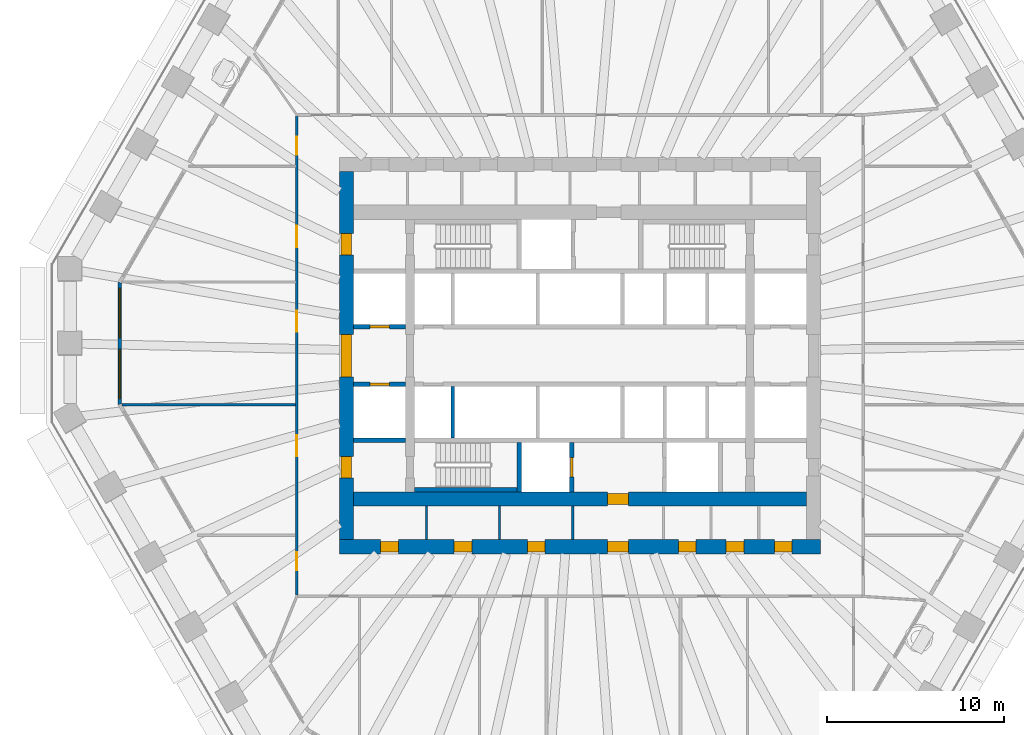
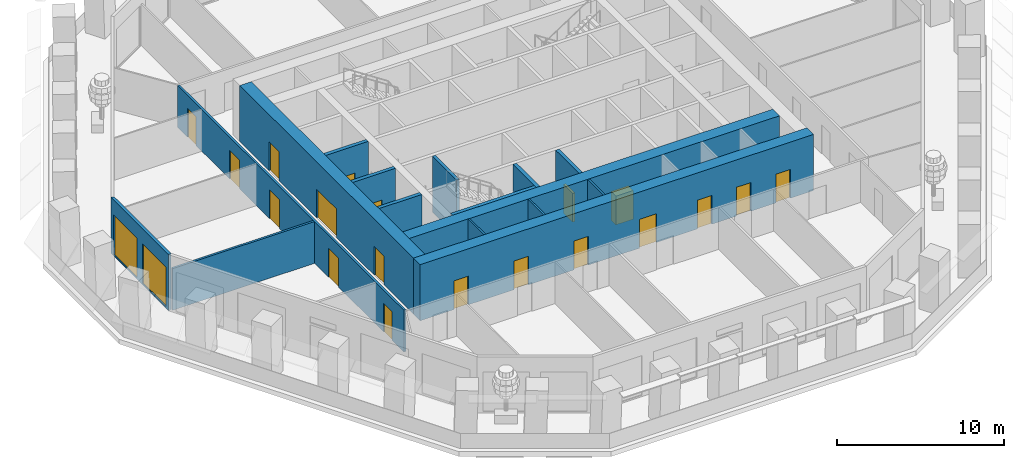
# One storey, part 4 of 13: 19 doors, 16 walls, 2 windows, 21 openings.
"""IFC4 building model written with IfcOpenShell, lengths in metres."""

from ifc_helpers import new_model, si_unit, direction, frame, frame_2d, origin, place, context, subcontext, project, spatial, polyline, rectangle, outline, extrude, material, layer, layer_set, type_object, element, fill, save


model = new_model("IFC4")

# Units and contexts
model_context = context("Model", 3, precision=1e-05, world=origin(), true_north=direction((0.0, 1.0)))
body_context = subcontext(model_context, "Body", "Model", "MODEL_VIEW")
ifc_project = project(units=[si_unit("LENGTHUNIT", "METRE"), si_unit("AREAUNIT", "SQUARE_METRE"), si_unit("VOLUMEUNIT", "CUBIC_METRE"), si_unit("PLANEANGLEUNIT", "RADIAN"), si_unit("MASSUNIT", "GRAM", prefix="KILO")], contexts=[model_context])

# Site, building, storey
site_placement = place(None, origin())
site = spatial("IfcSite", under=ifc_project, at=site_placement, CompositionType="ELEMENT")
building_placement = place(site_placement, origin())
building = spatial("IfcBuilding", under=site, at=building_placement, Name="Frailejon Research Tower", CompositionType="ELEMENT")
storey_placement = place(building_placement, frame((0.0, 0.0, 102.800048828125)))
storey = spatial("IfcBuildingStorey", under=building, at=storey_placement, Name="L22", CompositionType="ELEMENT", Elevation=102.800048828125)

# Walls
ifc_material_1 = material(Name="Plasterboard on steel studs", Category="steel")
ifc_layer_1 = layer(ifc_material_1, 0.125)
ifc_layer_set_1 = layer_set([ifc_layer_1], Name="Core partition 125")
wall_type_1 = type_object("IfcWallType", Name="Core partition 125", PredefinedType="PARTITIONING", material=ifc_layer_set_1)
for number, where, z_axis, x_axis, name in (
    (1, (-8.6708984375, -10.39990234375, 0.0), (0.0, 0.0, 1.0), (0.0, 1.0, 0.0), "Core partition"),
    (2, (-4.541748046875, -10.39990234375, 0.0), (0.0, 0.0, 1.0), (0.0, 1.0, 0.0), "Core partition"),
    (3, (-0.41259765625, -10.39990234375, 0.0), (0.0, 0.0, 1.0), (0.0, 1.0, 0.0), "Core partition"),
):
    element("IfcWall", number, at=place(storey_placement, frame(where, z_axis=z_axis, x_axis=x_axis)), inside=storey, type_object=wall_type_1, Name=name, PredefinedType="PARTITIONING", context=body_context, shape_type="SweptSolid", body=[
        extrude(rectangle(XDim=1.89990234375, YDim=0.125, at=frame_2d((0.949951171875, 0.0))), origin(), (0.0, 0.0, 1.0), 4.099853515625),
    ])

# Wall, openings, doors
ifc_material_2 = material(Name="Concrete C70/85", Category="concrete")
ifc_layer_2 = layer(ifc_material_2, 0.800048828125)
ifc_layer_set_2 = layer_set([ifc_layer_2], Name="Core shear wall 800 C70/85")
wall_type_2 = type_object("IfcWallType", Name="Core shear wall 800 C70/85", PredefinedType="SHEAR", material=ifc_layer_set_2)
wall_1_placement = place(storey_placement, frame((-13.60009765625, -10.800048828125, 0.0), z_axis=(0.0, 0.0, 1.0), x_axis=(1.0, 0.0, 0.0)))
wall_1 = element("IfcWall", 4, at=wall_1_placement, inside=storey, type_object=wall_type_2, Name="Core shear wall", PredefinedType="SHEAR", context=body_context, shape_type="SweptSolid", body=[
    extrude(rectangle(XDim=27.2001953125, YDim=0.800048828125, at=frame_2d((13.60009765625, 0.0))), origin(), (0.0, 0.0, 1.0), 4.099853515625),
])
opening_1_placement = place(wall_1_placement, frame((2.333251953125, 0.0, 0.0)))
opening_1 = element("IfcOpeningElement", 5, at=opening_1_placement, cuts=wall_1, Name="Opening D4", PredefinedType="OPENING", context=body_context, shape_type="SweptSolid", body=[
    extrude(rectangle(XDim=1.0, YDim=2.10009765625, at=frame_2d((0.5, 1.050048828125))), frame((0.0, 0.409912109375, 0.0), z_axis=(0.0, -1.0, 0.0), x_axis=(1.0, 0.0, 0.0)), (0.0, 0.0, 1.0), 0.820068359375),
])
opening_2_placement = place(wall_1_placement, frame((6.493896484375, 0.0, 0.0)))
opening_2 = element("IfcOpeningElement", 6, at=opening_2_placement, cuts=wall_1, Name="Opening D4", PredefinedType="OPENING", context=body_context, shape_type="SweptSolid", body=[
    extrude(rectangle(XDim=1.0, YDim=2.10009765625, at=frame_2d((0.5, 1.050048828125))), frame((0.0, 0.409912109375, 0.0), z_axis=(0.0, -1.0, 0.0), x_axis=(1.0, 0.0, 0.0)), (0.0, 0.0, 1.0), 0.820068359375),
])
opening_3_placement = place(wall_1_placement, frame((10.622802734375, 0.0, 0.0)))
opening_3 = element("IfcOpeningElement", 7, at=opening_3_placement, cuts=wall_1, Name="Opening D4", PredefinedType="OPENING", context=body_context, shape_type="SweptSolid", body=[
    extrude(rectangle(XDim=1.0, YDim=2.10009765625, at=frame_2d((0.5, 1.050048828125))), frame((0.0, 0.409912109375, 0.0), z_axis=(0.0, -1.0, 0.0), x_axis=(1.0, 0.0, 0.0)), (0.0, 0.0, 1.0), 0.820068359375),
])
opening_4_placement = place(wall_1_placement, frame((19.160400390625, 0.0, 0.0)))
opening_4 = element("IfcOpeningElement", 8, at=opening_4_placement, cuts=wall_1, Name="Opening D4", PredefinedType="OPENING", context=body_context, shape_type="SweptSolid", body=[
    extrude(rectangle(XDim=1.0, YDim=2.10009765625, at=frame_2d((0.5, 1.050048828125))), frame((0.0, 0.409912109375, 0.0), z_axis=(0.0, -1.0, 0.0), x_axis=(1.0, 0.0, 0.0)), (0.0, 0.0, 1.0), 0.820068359375),
])
opening_5_placement = place(wall_1_placement, frame((21.856201171875, 0.0, 0.0)))
opening_5 = element("IfcOpeningElement", 9, at=opening_5_placement, cuts=wall_1, Name="Opening D4", PredefinedType="OPENING", context=body_context, shape_type="SweptSolid", body=[
    extrude(rectangle(XDim=1.0, YDim=2.10009765625, at=frame_2d((0.5, 1.050048828125))), frame((0.0, 0.409912109375, 0.0), z_axis=(0.0, -1.0, 0.0), x_axis=(1.0, 0.0, 0.0)), (0.0, 0.0, 1.0), 0.820068359375),
])
opening_6_placement = place(wall_1_placement, frame((24.583251953125, 0.0, 0.0)))
opening_6 = element("IfcOpeningElement", 10, at=opening_6_placement, cuts=wall_1, Name="Opening D4", PredefinedType="OPENING", context=body_context, shape_type="SweptSolid", body=[
    extrude(rectangle(XDim=1.0, YDim=2.10009765625, at=frame_2d((0.5, 1.050048828125))), frame((0.0, 0.409912109375, 0.0), z_axis=(0.0, -1.0, 0.0), x_axis=(1.0, 0.0, 0.0)), (0.0, 0.0, 1.0), 0.820068359375),
])
opening_7_placement = place(wall_1_placement, frame((15.14990234375, 0.0, 0.0)))
opening_7 = element("IfcOpeningElement", 11, at=opening_7_placement, cuts=wall_1, Name="Opening D3", PredefinedType="OPENING", context=body_context, shape_type="SweptSolid", body=[
    extrude(rectangle(XDim=1.199951171875, YDim=2.10009765625, at=frame_2d((0.60009765625, 1.050048828125))), frame((0.0, 0.409912109375, 0.0), z_axis=(0.0, -1.0, 0.0), x_axis=(1.0, 0.0, 0.0)), (0.0, 0.0, 1.0), 0.820068359375),
])
ifc_material_3 = material(Name="Steel", Category="steel")
door_type_1 = type_object("IfcDoorType", Name="Firefighting lobby door", OperationType="SINGLE_SWING_LEFT", PredefinedType="DOOR", material=ifc_material_3)
door_1_placement = place(opening_7_placement, origin())
door_1 = element("IfcDoor", 12, at=door_1_placement, inside=storey, type_object=door_type_1, Name="Passage door", OperationType="SINGLE_SWING_LEFT", OverallHeight=2.10009765625, OverallWidth=1.199951171875, PredefinedType="DOOR", context=body_context, shape_type="SweptSolid", body=[
    extrude(rectangle(XDim=1.199951171875, YDim=2.10009765625, at=frame_2d((0.60009765625, 1.050048828125))), frame((0.0, 0.300048828125, 0.0), z_axis=(0.0, -1.0, 0.0), x_axis=(1.0, 0.0, 0.0)), (0.0, 0.0, 1.0), 0.60009765625),
])
fill(opening_7, door_1)
ifc_material_4 = material(Name="Steel", Category="steel")
door_type_2 = type_object("IfcDoorType", Name="Service door", OperationType="SINGLE_SWING_LEFT", PredefinedType="DOOR", material=ifc_material_4)
door_2_placement = place(opening_1_placement, origin())
door_2 = element("IfcDoor", 13, at=door_2_placement, inside=storey, type_object=door_type_2, Name="Room door", OperationType="SINGLE_SWING_LEFT", OverallHeight=2.10009765625, OverallWidth=1.0, PredefinedType="DOOR", context=body_context, shape_type="SweptSolid", body=[
    extrude(rectangle(XDim=1.0, YDim=2.10009765625, at=frame_2d((0.5, 1.050048828125))), frame((0.0, 0.300048828125, 0.0), z_axis=(0.0, -1.0, 0.0), x_axis=(1.0, 0.0, 0.0)), (0.0, 0.0, 1.0), 0.60009765625),
])
fill(opening_1, door_2)
door_3_placement = place(opening_2_placement, origin())
door_3 = element("IfcDoor", 14, at=door_3_placement, inside=storey, type_object=door_type_2, Name="Room door", OperationType="SINGLE_SWING_RIGHT", OverallHeight=2.10009765625, OverallWidth=1.0, PredefinedType="DOOR", context=body_context, shape_type="SweptSolid", body=[
    extrude(rectangle(XDim=1.0, YDim=2.10009765625, at=frame_2d((0.5, 1.050048828125))), frame((0.0, 0.300048828125, 0.0), z_axis=(0.0, -1.0, 0.0), x_axis=(1.0, 0.0, 0.0)), (0.0, 0.0, 1.0), 0.60009765625),
])
fill(opening_2, door_3)
door_4_placement = place(opening_3_placement, origin())
door_4 = element("IfcDoor", 15, at=door_4_placement, inside=storey, type_object=door_type_2, Name="Room door", OperationType="SINGLE_SWING_LEFT", OverallHeight=2.10009765625, OverallWidth=1.0, PredefinedType="DOOR", context=body_context, shape_type="SweptSolid", body=[
    extrude(rectangle(XDim=1.0, YDim=2.10009765625, at=frame_2d((0.5, 1.050048828125))), frame((0.0, 0.300048828125, 0.0), z_axis=(0.0, -1.0, 0.0), x_axis=(1.0, 0.0, 0.0)), (0.0, 0.0, 1.0), 0.60009765625),
])
fill(opening_3, door_4)
door_5_placement = place(opening_4_placement, origin())
door_5 = element("IfcDoor", 16, at=door_5_placement, inside=storey, type_object=door_type_2, Name="Room door", OperationType="SINGLE_SWING_RIGHT", OverallHeight=2.10009765625, OverallWidth=1.0, PredefinedType="DOOR", context=body_context, shape_type="SweptSolid", body=[
    extrude(rectangle(XDim=1.0, YDim=2.10009765625, at=frame_2d((0.5, 1.050048828125))), frame((0.0, 0.300048828125, 0.0), z_axis=(0.0, -1.0, 0.0), x_axis=(1.0, 0.0, 0.0)), (0.0, 0.0, 1.0), 0.60009765625),
])
fill(opening_4, door_5)
door_6_placement = place(opening_5_placement, origin())
door_6 = element("IfcDoor", 17, at=door_6_placement, inside=storey, type_object=door_type_2, Name="Room door", OperationType="SINGLE_SWING_LEFT", OverallHeight=2.10009765625, OverallWidth=1.0, PredefinedType="DOOR", context=body_context, shape_type="SweptSolid", body=[
    extrude(rectangle(XDim=1.0, YDim=2.10009765625, at=frame_2d((0.5, 1.050048828125))), frame((0.0, 0.300048828125, 0.0), z_axis=(0.0, -1.0, 0.0), x_axis=(1.0, 0.0, 0.0)), (0.0, 0.0, 1.0), 0.60009765625),
])
fill(opening_5, door_6)
door_7_placement = place(opening_6_placement, origin())
door_7 = element("IfcDoor", 18, at=door_7_placement, inside=storey, type_object=door_type_2, Name="Room door", OperationType="SINGLE_SWING_RIGHT", OverallHeight=2.10009765625, OverallWidth=1.0, PredefinedType="DOOR", context=body_context, shape_type="SweptSolid", body=[
    extrude(rectangle(XDim=1.0, YDim=2.10009765625, at=frame_2d((0.5, 1.050048828125))), frame((0.0, 0.300048828125, 0.0), z_axis=(0.0, -1.0, 0.0), x_axis=(1.0, 0.0, 0.0)), (0.0, 0.0, 1.0), 0.60009765625),
])
fill(opening_6, door_7)

wall_2_placement = place(storey_placement, frame((-13.199951171875, -10.39990234375, 0.0), z_axis=(0.0, 0.0, 1.0), x_axis=(0.0, 1.0, 0.0)))
wall_2 = element("IfcWall", 19, at=wall_2_placement, inside=storey, type_object=wall_type_2, Name="Core shear wall", PredefinedType="SHEAR", context=body_context, shape_type="SweptSolid", body=[
    extrude(rectangle(XDim=20.7998046875, YDim=0.800048828125, at=frame_2d((10.39990234375, 0.0))), origin(), (0.0, 0.0, 1.0), 4.099853515625),
])
opening_8_placement = place(wall_2_placement, frame((9.199951171875, 0.0, 0.0)))
opening_8 = element("IfcOpeningElement", 20, at=opening_8_placement, cuts=wall_2, Name="Opening D2", PredefinedType="OPENING", context=body_context, shape_type="SweptSolid", body=[
    extrude(rectangle(XDim=2.39990234375, YDim=2.10009765625, at=frame_2d((1.199951171875, 1.050048828125))), frame((0.0, 0.409912109375, 0.0), z_axis=(0.0, -1.0, 0.0), x_axis=(1.0, 0.0, 0.0)), (0.0, 0.0, 1.0), 0.820068359375),
])
opening_9_placement = place(wall_2_placement, frame((16.10009765625, 0.0, 0.0)))
opening_9 = element("IfcOpeningElement", 21, at=opening_9_placement, cuts=wall_2, Name="Opening D7", PredefinedType="OPENING", context=body_context, shape_type="SweptSolid", body=[
    extrude(rectangle(XDim=1.199951171875, YDim=2.10009765625, at=frame_2d((0.60009765625, 1.050048828125))), frame((0.0, 0.409912109375, 0.0), z_axis=(0.0, -1.0, 0.0), x_axis=(1.0, 0.0, 0.0)), (0.0, 0.0, 1.0), 0.820068359375),
])
opening_10_placement = place(wall_2_placement, frame((3.5, 0.0, 0.0)))
opening_10 = element("IfcOpeningElement", 22, at=opening_10_placement, cuts=wall_2, Name="Opening D7", PredefinedType="OPENING", context=body_context, shape_type="SweptSolid", body=[
    extrude(rectangle(XDim=1.199951171875, YDim=2.10009765625, at=frame_2d((0.60009765625, 1.050048828125))), frame((0.0, 0.409912109375, 0.0), z_axis=(0.0, -1.0, 0.0), x_axis=(1.0, 0.0, 0.0)), (0.0, 0.0, 1.0), 0.820068359375),
])
ifc_material_5 = material(Name="Steel", Category="steel")
door_type_3 = type_object("IfcDoorType", Name="Lobby double door", OperationType="DOUBLE_DOOR_SINGLE_SWING", PredefinedType="DOOR", material=ifc_material_5)
door_8_placement = place(opening_8_placement, origin())
door_8 = element("IfcDoor", 23, at=door_8_placement, inside=storey, type_object=door_type_3, Name="Lobby door", OperationType="DOUBLE_DOOR_SINGLE_SWING", OverallHeight=2.10009765625, OverallWidth=2.39990234375, PredefinedType="DOOR", context=body_context, shape_type="SweptSolid", body=[
    extrude(rectangle(XDim=2.39990234375, YDim=2.10009765625, at=frame_2d((1.199951171875, 1.050048828125))), frame((0.0, 0.300048828125, 0.0), z_axis=(0.0, -1.0, 0.0), x_axis=(1.0, 0.0, 0.0)), (0.0, 0.0, 1.0), 0.60009765625),
])
fill(opening_8, door_8)
ifc_material_6 = material(Name="Steel", Category="steel")
door_type_4 = type_object("IfcDoorType", Name="Stair exit door", OperationType="SINGLE_SWING_LEFT", PredefinedType="DOOR", material=ifc_material_6)
door_9_placement = place(opening_9_placement, origin())
door_9 = element("IfcDoor", 24, at=door_9_placement, inside=storey, type_object=door_type_4, Name="Stair exit door ST1", OperationType="SINGLE_SWING_RIGHT", OverallHeight=2.10009765625, OverallWidth=1.199951171875, PredefinedType="DOOR", context=body_context, shape_type="SweptSolid", body=[
    extrude(rectangle(XDim=1.199951171875, YDim=2.10009765625, at=frame_2d((0.60009765625, 1.050048828125))), frame((0.0, 0.300048828125, 0.0), z_axis=(0.0, -1.0, 0.0), x_axis=(1.0, 0.0, 0.0)), (0.0, 0.0, 1.0), 0.60009765625),
])
fill(opening_9, door_9)
door_10_placement = place(opening_10_placement, origin())
door_10 = element("IfcDoor", 25, at=door_10_placement, inside=storey, type_object=door_type_4, Name="Stair exit door ST2", OperationType="SINGLE_SWING_RIGHT", OverallHeight=2.10009765625, OverallWidth=1.199951171875, PredefinedType="DOOR", context=body_context, shape_type="SweptSolid", body=[
    extrude(rectangle(XDim=1.199951171875, YDim=2.10009765625, at=frame_2d((0.60009765625, 1.050048828125))), frame((0.0, 0.300048828125, 0.0), z_axis=(0.0, -1.0, 0.0), x_axis=(1.0, 0.0, 0.0)), (0.0, 0.0, 1.0), 0.60009765625),
])
fill(opening_10, door_10)

# Wall, opening, door
wall_3_placement = place(storey_placement, frame((-12.800048828125, -8.10009765625, 0.0), z_axis=(0.0, 0.0, 1.0), x_axis=(1.0, 0.0, 0.0)))
wall_3 = element("IfcWall", 26, at=wall_3_placement, inside=storey, type_object=wall_type_2, Name="Core shear wall", PredefinedType="SHEAR", context=body_context, shape_type="SweptSolid", body=[
    extrude(rectangle(XDim=25.60009765625, YDim=0.800048828125, at=frame_2d((12.800048828125, 0.0))), origin(), (0.0, 0.0, 1.0), 4.099853515625),
])
opening_11_placement = place(wall_3_placement, frame((14.35009765625, 0.0, 0.0)))
opening_11 = element("IfcOpeningElement", 27, at=opening_11_placement, cuts=wall_3, Name="Opening D3", PredefinedType="OPENING", context=body_context, shape_type="SweptSolid", body=[
    extrude(rectangle(XDim=1.199951171875, YDim=2.10009765625, at=frame_2d((0.60009765625, 1.050048828125))), frame((0.0, 0.409912109375, 0.0), z_axis=(0.0, -1.0, 0.0), x_axis=(1.0, 0.0, 0.0)), (0.0, 0.0, 1.0), 0.820068359375),
])
door_11_placement = place(opening_11_placement, origin())
door_11 = element("IfcDoor", 28, at=door_11_placement, inside=storey, type_object=door_type_1, Name="Firefighting lobby door", OperationType="SINGLE_SWING_LEFT", OverallHeight=2.10009765625, OverallWidth=1.199951171875, PredefinedType="DOOR", context=body_context, shape_type="SweptSolid", body=[
    extrude(rectangle(XDim=1.199951171875, YDim=2.10009765625, at=frame_2d((0.60009765625, 1.050048828125))), frame((0.0, 0.300048828125, 0.0), z_axis=(0.0, -1.0, 0.0), x_axis=(1.0, 0.0, 0.0)), (0.0, 0.0, 1.0), 0.60009765625),
])
fill(opening_11, door_11)

# Wall, openings, doors
ifc_material_7 = material(Name="Gypsum board and masonry partition", Category="masonry")
ifc_layer_3 = layer(ifc_material_7, 0.14990234375)
ifc_layer_set_3 = layer_set([ifc_layer_3], Name="Corridor wall EI 60, gypsum on steel studs 150")
wall_type_3 = type_object("IfcWallType", Name="Corridor wall EI 60, gypsum on steel studs 150", PredefinedType="PARTITIONING", material=ifc_layer_set_3)
wall_4_placement = place(storey_placement, frame((-16.0, -13.52490234375, 0.0), z_axis=(0.0, 0.0, 1.0), x_axis=(0.0, 1.0, 0.0)))
wall_4 = element("IfcWall", 29, at=wall_4_placement, inside=storey, type_object=wall_type_3, Name="T:IW:L22:003", PredefinedType="PARTITIONING", context=body_context, shape_type="SweptSolid", body=[
    extrude(rectangle(XDim=27.074951171875, YDim=0.14990234375, at=frame_2d((13.53759765625, 0.0))), origin(), (0.0, 0.0, 1.0), 3.050048828125),
])
opening_12_placement = place(wall_4_placement, frame((24.880615234375, 0.0, 0.0)))
opening_12 = element("IfcOpeningElement", 30, at=opening_12_placement, cuts=wall_4, Name="Opening D1583", PredefinedType="OPENING", context=body_context, shape_type="SweptSolid", body=[
    extrude(rectangle(XDim=1.0, YDim=2.10009765625, at=frame_2d((0.5, 1.050048828125))), frame((0.0, 0.0849609375, 0.0), z_axis=(0.0, -1.0, 0.0), x_axis=(1.0, 0.0, 0.0)), (0.0, 0.0, 1.0), 0.169921875),
])
opening_13_placement = place(wall_4_placement, frame((19.65869140625, 0.0, 0.0)))
opening_13 = element("IfcOpeningElement", 31, at=opening_13_placement, cuts=wall_4, Name="Opening D1584", PredefinedType="OPENING", context=body_context, shape_type="SweptSolid", body=[
    extrude(rectangle(XDim=1.199951171875, YDim=2.10009765625, at=frame_2d((0.60009765625, 1.050048828125))), frame((0.0, 0.0849609375, 0.0), z_axis=(0.0, -1.0, 0.0), x_axis=(1.0, 0.0, 0.0)), (0.0, 0.0, 1.0), 0.169921875),
])
opening_14_placement = place(wall_4_placement, frame((14.873291015625, 0.0, 0.0)))
opening_14 = element("IfcOpeningElement", 32, at=opening_14_placement, cuts=wall_4, Name="Opening D1585", PredefinedType="OPENING", context=body_context, shape_type="SweptSolid", body=[
    extrude(rectangle(XDim=1.199951171875, YDim=2.10009765625, at=frame_2d((0.60009765625, 1.050048828125))), frame((0.0, 0.0849609375, 0.0), z_axis=(0.0, -1.0, 0.0), x_axis=(1.0, 0.0, 0.0)), (0.0, 0.0, 1.0), 0.169921875),
])
opening_15_placement = place(wall_4_placement, frame((7.831787109375, 0.0, 0.0)))
opening_15 = element("IfcOpeningElement", 33, at=opening_15_placement, cuts=wall_4, Name="Opening D1586", PredefinedType="OPENING", context=body_context, shape_type="SweptSolid", body=[
    extrude(rectangle(XDim=1.199951171875, YDim=2.10009765625, at=frame_2d((0.60009765625, 1.050048828125))), frame((0.0, 0.0849609375, 0.0), z_axis=(0.0, -1.0, 0.0), x_axis=(1.0, 0.0, 0.0)), (0.0, 0.0, 1.0), 0.169921875),
])
opening_16_placement = place(wall_4_placement, frame((1.409423828125, 0.0, 0.0)))
opening_16 = element("IfcOpeningElement", 34, at=opening_16_placement, cuts=wall_4, Name="Opening D1587", PredefinedType="OPENING", context=body_context, shape_type="SweptSolid", body=[
    extrude(rectangle(XDim=1.0, YDim=2.10009765625, at=frame_2d((0.5, 1.050048828125))), frame((0.0, 0.0849609375, 0.0), z_axis=(0.0, -1.0, 0.0), x_axis=(1.0, 0.0, 0.0)), (0.0, 0.0, 1.0), 0.169921875),
])
ifc_material_8 = material(Name="Timber door leaf", Category="wood")
door_type_5 = type_object("IfcDoorType", Name="Door laboratory, timber, vision panel 1200", OperationType="NOTDEFINED", PredefinedType="DOOR", material=ifc_material_8)
door_12_placement = place(opening_15_placement, origin())
door_12 = element("IfcDoor", 35, at=door_12_placement, inside=storey, type_object=door_type_5, Name="D1586", OperationType="DOUBLE_DOOR_SINGLE_SWING", OverallHeight=2.10009765625, OverallWidth=1.199951171875, PredefinedType="DOOR", context=body_context, shape_type="SweptSolid", body=[
    extrude(rectangle(XDim=1.199951171875, YDim=2.10009765625, at=frame_2d((0.60009765625, 1.050048828125))), frame((0.0, 0.02490234375, 0.0), z_axis=(0.0, -1.0, 0.0), x_axis=(1.0, 0.0, 0.0)), (0.0, 0.0, 1.0), 0.050048828125),
])
fill(opening_15, door_12)
ifc_material_9 = material(Name="Timber door leaf", Category="wood")
door_type_6 = type_object("IfcDoorType", Name="Door single leaf, timber, steel frame 1000", OperationType="NOTDEFINED", PredefinedType="DOOR", material=ifc_material_9)
door_13_placement = place(opening_12_placement, origin())
door_13 = element("IfcDoor", 36, at=door_13_placement, inside=storey, type_object=door_type_6, Name="D1583", OperationType="SINGLE_SWING_RIGHT", OverallHeight=2.10009765625, OverallWidth=1.0, PredefinedType="DOOR", context=body_context, shape_type="SweptSolid", body=[
    extrude(rectangle(XDim=1.0, YDim=2.10009765625, at=frame_2d((0.5, 1.050048828125))), frame((0.0, 0.02490234375, 0.0), z_axis=(0.0, -1.0, 0.0), x_axis=(1.0, 0.0, 0.0)), (0.0, 0.0, 1.0), 0.050048828125),
])
fill(opening_12, door_13)
door_14_placement = place(opening_16_placement, origin())
door_14 = element("IfcDoor", 37, at=door_14_placement, inside=storey, type_object=door_type_6, Name="D1587", OperationType="SINGLE_SWING_LEFT", OverallHeight=2.10009765625, OverallWidth=1.0, PredefinedType="DOOR", context=body_context, shape_type="SweptSolid", body=[
    extrude(rectangle(XDim=1.0, YDim=2.10009765625, at=frame_2d((0.5, 1.050048828125))), frame((0.0, 0.02490234375, 0.0), z_axis=(0.0, -1.0, 0.0), x_axis=(1.0, 0.0, 0.0)), (0.0, 0.0, 1.0), 0.050048828125),
])
fill(opening_16, door_14)
ifc_material_10 = material(Name="Timber door leaf", Category="wood")
door_type_7 = type_object("IfcDoorType", Name="Door single leaf, timber, steel frame 1200", OperationType="NOTDEFINED", PredefinedType="DOOR", material=ifc_material_10)
door_15_placement = place(opening_13_placement, origin())
door_15 = element("IfcDoor", 38, at=door_15_placement, inside=storey, type_object=door_type_7, Name="D1584", OperationType="DOUBLE_DOOR_SINGLE_SWING", OverallHeight=2.10009765625, OverallWidth=1.199951171875, PredefinedType="DOOR", context=body_context, shape_type="SweptSolid", body=[
    extrude(rectangle(XDim=1.199951171875, YDim=2.10009765625, at=frame_2d((0.60009765625, 1.050048828125))), frame((0.0, 0.02490234375, 0.0), z_axis=(0.0, -1.0, 0.0), x_axis=(1.0, 0.0, 0.0)), (0.0, 0.0, 1.0), 0.050048828125),
])
fill(opening_13, door_15)
door_16_placement = place(opening_14_placement, origin())
door_16 = element("IfcDoor", 39, at=door_16_placement, inside=storey, type_object=door_type_7, Name="D1585", OperationType="DOUBLE_DOOR_SINGLE_SWING", OverallHeight=2.10009765625, OverallWidth=1.199951171875, PredefinedType="DOOR", context=body_context, shape_type="SweptSolid", body=[
    extrude(rectangle(XDim=1.199951171875, YDim=2.10009765625, at=frame_2d((0.60009765625, 1.050048828125))), frame((0.0, 0.02490234375, 0.0), z_axis=(0.0, -1.0, 0.0), x_axis=(1.0, 0.0, 0.0)), (0.0, 0.0, 1.0), 0.050048828125),
])
fill(opening_14, door_16)

# Walls
ifc_material_11 = material(Name="Gypsum board and masonry partition", Category="masonry")
ifc_layer_4 = layer(ifc_material_11, 0.14990234375)
ifc_layer_set_4 = layer_set([ifc_layer_4], Name="Laboratory partition, blockwork 150")
wall_type_4 = type_object("IfcWallType", Name="Laboratory partition, blockwork 150", PredefinedType="PARTITIONING", material=ifc_layer_set_4)
wall_5_placement = place(storey_placement, frame((-25.881103515625, -2.772705078125, 0.0), z_axis=(0.0, 0.0, 1.0), x_axis=(1.0, 0.0, 0.0)))
element("IfcWall", 40, at=wall_5_placement, inside=storey, type_object=wall_type_4, Name="T:IW:L22:007", PredefinedType="PARTITIONING", context=body_context, shape_type="SweptSolid", body=[
    extrude(rectangle(XDim=9.80615234375, YDim=0.14990234375, at=frame_2d((4.903076171875, 0.0))), origin(), (0.0, 0.0, 1.0), 3.050048828125),
])
ifc_material_12 = material(Name="Concrete C70/85", Category="concrete")
ifc_layer_5 = layer(ifc_material_12, 0.199951171875)
ifc_layer_set_5 = layer_set([ifc_layer_5], Name="Shaft wall 200 C70/85")
wall_type_5 = type_object("IfcWallType", Name="Shaft wall 200 C70/85", PredefinedType="SOLIDWALL", material=ifc_layer_set_5)
wall_6_placement = place(storey_placement, frame((-7.199951171875, -4.64990234375, 0.0), z_axis=(0.0, 0.0, 1.0), x_axis=(0.0, 1.0, 0.0)))
element("IfcWall", 41, at=wall_6_placement, inside=storey, type_object=wall_type_5, Name="Shaft wall", PredefinedType="SOLIDWALL", context=body_context, shape_type="SweptSolid", body=[
    extrude(rectangle(XDim=2.89990234375, YDim=0.199951171875, at=frame_2d((1.449951171875, 0.0))), origin(), (0.0, 0.0, 1.0), 4.099853515625),
])

# Wall, opening, door
ifc_material_13 = material(Name="Concrete C70/85", Category="concrete")
ifc_layer_6 = layer(ifc_material_13, 0.25)
ifc_layer_set_6 = layer_set([ifc_layer_6], Name="Shaft wall 250 C70/85")
wall_type_6 = type_object("IfcWallType", Name="Shaft wall 250 C70/85", PredefinedType="SOLIDWALL", material=ifc_layer_set_6)
wall_7_placement = place(storey_placement, frame((-12.800048828125, 1.625, 0.0), z_axis=(0.0, 0.0, 1.0), x_axis=(1.0, 0.0, 0.0)))
wall_7 = element("IfcWall", 42, at=wall_7_placement, inside=storey, type_object=wall_type_6, Name="Shaft wall", PredefinedType="SOLIDWALL", context=body_context, shape_type="SweptSolid", body=[
    extrude(rectangle(XDim=2.949951171875, YDim=0.25, at=frame_2d((1.47509765625, 0.0))), origin(), (0.0, 0.0, 1.0), 4.099853515625),
])
opening_17_placement = place(wall_7_placement, frame((0.925048828125, 0.0, 0.0)))
opening_17 = element("IfcOpeningElement", 43, at=opening_17_placement, cuts=wall_7, Name="Opening LD", PredefinedType="OPENING", context=body_context, shape_type="SweptSolid", body=[
    extrude(rectangle(XDim=1.10009765625, YDim=2.10009765625, at=frame_2d((0.550048828125, 1.050048828125))), frame((0.0, 0.135009765625, 0.0), z_axis=(0.0, -1.0, 0.0), x_axis=(1.0, 0.0, 0.0)), (0.0, 0.0, 1.0), 0.27001953125),
])
ifc_material_14 = material(Name="Steel", Category="steel")
door_type_8 = type_object("IfcDoorType", Name="Lift landing door", OperationType="DOUBLE_DOOR_SLIDING", PredefinedType="DOOR", material=ifc_material_14)
door_17_placement = place(opening_17_placement, origin())
door_17 = element("IfcDoor", 44, at=door_17_placement, inside=storey, type_object=door_type_8, Name="Lift landing door", OperationType="DOUBLE_DOOR_SLIDING", OverallHeight=2.10009765625, OverallWidth=1.10009765625, PredefinedType="DOOR", context=body_context, shape_type="SweptSolid", body=[
    extrude(rectangle(XDim=1.10009765625, YDim=2.10009765625, at=frame_2d((0.550048828125, 1.050048828125))), frame((0.0, 0.074951171875, 0.0), z_axis=(0.0, -1.0, 0.0), x_axis=(1.0, 0.0, 0.0)), (0.0, 0.0, 1.0), 0.14990234375),
])
fill(opening_17, door_17)

wall_8_placement = place(storey_placement, frame((-12.800048828125, -1.625, 0.0), z_axis=(0.0, 0.0, 1.0), x_axis=(1.0, 0.0, 0.0)))
wall_8 = element("IfcWall", 45, at=wall_8_placement, inside=storey, type_object=wall_type_6, Name="Shaft wall", PredefinedType="SOLIDWALL", context=body_context, shape_type="SweptSolid", body=[
    extrude(rectangle(XDim=2.949951171875, YDim=0.25, at=frame_2d((1.47509765625, 0.0))), origin(), (0.0, 0.0, 1.0), 4.099853515625),
])
opening_18_placement = place(wall_8_placement, frame((0.925048828125, 0.0, 0.0)))
opening_18 = element("IfcOpeningElement", 46, at=opening_18_placement, cuts=wall_8, Name="Opening LD", PredefinedType="OPENING", context=body_context, shape_type="SweptSolid", body=[
    extrude(rectangle(XDim=1.10009765625, YDim=2.10009765625, at=frame_2d((0.550048828125, 1.050048828125))), frame((0.0, 0.135009765625, 0.0), z_axis=(0.0, -1.0, 0.0), x_axis=(1.0, 0.0, 0.0)), (0.0, 0.0, 1.0), 0.27001953125),
])
door_18_placement = place(opening_18_placement, origin())
door_18 = element("IfcDoor", 47, at=door_18_placement, inside=storey, type_object=door_type_8, Name="Lift landing door", OperationType="DOUBLE_DOOR_SLIDING", OverallHeight=2.10009765625, OverallWidth=1.10009765625, PredefinedType="DOOR", context=body_context, shape_type="SweptSolid", body=[
    extrude(rectangle(XDim=1.10009765625, YDim=2.10009765625, at=frame_2d((0.550048828125, 1.050048828125))), frame((0.0, 0.074951171875, 0.0), z_axis=(0.0, -1.0, 0.0), x_axis=(1.0, 0.0, 0.0)), (0.0, 0.0, 1.0), 0.14990234375),
])
fill(opening_18, door_18)

# Walls
wall_9_placement = place(storey_placement, frame((-12.800048828125, -4.77490234375, 0.0), z_axis=(0.0, 0.0, 1.0), x_axis=(1.0, 0.0, 0.0)))
element("IfcWall", 48, at=wall_9_placement, inside=storey, type_object=wall_type_6, Name="Shaft wall", PredefinedType="SOLIDWALL", context=body_context, shape_type="SweptSolid", body=[
    extrude(rectangle(XDim=2.949951171875, YDim=0.25, at=frame_2d((1.47509765625, 0.0))), origin(), (0.0, 0.0, 1.0), 4.099853515625),
])
wall_10_placement = place(storey_placement, frame((-9.35009765625, -7.574951171875, 0.0), z_axis=(0.0, 0.0, 1.0), x_axis=(1.0, 0.0, 0.0)))
element("IfcWall", 49, at=wall_10_placement, inside=storey, type_object=wall_type_6, Name="Shaft wall", PredefinedType="SOLIDWALL", context=body_context, shape_type="SweptSolid", body=[
    extrude(rectangle(XDim=5.800048828125, YDim=0.25, at=frame_2d((2.89990234375, 0.0))), origin(), (0.0, 0.0, 1.0), 4.099853515625),
])
wall_11_placement = place(storey_placement, frame((-3.425048828125, -7.699951171875, 0.0), z_axis=(0.0, 0.0, 1.0), x_axis=(0.0, 1.0, 0.0)))
element("IfcWall", 50, at=wall_11_placement, inside=storey, type_object=wall_type_6, Name="Shaft wall", PredefinedType="SOLIDWALL", context=body_context, shape_type="SweptSolid", body=[
    extrude(rectangle(XDim=2.800048828125, YDim=0.25, at=frame_2d((1.39990234375, 0.0))), origin(), (0.0, 0.0, 1.0), 4.099853515625),
])

# Wall, opening, door
wall_12_placement = place(storey_placement, frame((-0.47509765625, -7.699951171875, 0.0), z_axis=(0.0, 0.0, 1.0), x_axis=(0.0, 1.0, 0.0)))
wall_12 = element("IfcWall", 51, at=wall_12_placement, inside=storey, type_object=wall_type_6, Name="Shaft wall", PredefinedType="SOLIDWALL", context=body_context, shape_type="SweptSolid", body=[
    extrude(rectangle(XDim=2.800048828125, YDim=0.25, at=frame_2d((1.39990234375, 0.0))), origin(), (0.0, 0.0, 1.0), 4.099853515625),
])
opening_19_placement = place(wall_12_placement, frame((0.85009765625, 0.0, 0.0)))
opening_19 = element("IfcOpeningElement", 52, at=opening_19_placement, cuts=wall_12, Name="Opening LD", PredefinedType="OPENING", context=body_context, shape_type="SweptSolid", body=[
    extrude(rectangle(XDim=1.10009765625, YDim=2.10009765625, at=frame_2d((0.550048828125, 1.050048828125))), frame((0.0, 0.135009765625, 0.0), z_axis=(0.0, -1.0, 0.0), x_axis=(1.0, 0.0, 0.0)), (0.0, 0.0, 1.0), 0.27001953125),
])
door_19_placement = place(opening_19_placement, origin())
door_19 = element("IfcDoor", 53, at=door_19_placement, inside=storey, type_object=door_type_8, Name="Lift landing door", OperationType="DOUBLE_DOOR_SLIDING", OverallHeight=2.10009765625, OverallWidth=1.10009765625, PredefinedType="DOOR", context=body_context, shape_type="SweptSolid", body=[
    extrude(rectangle(XDim=1.10009765625, YDim=2.10009765625, at=frame_2d((0.550048828125, 1.050048828125))), frame((0.0, 0.074951171875, 0.0), z_axis=(0.0, -1.0, 0.0), x_axis=(1.0, 0.0, 0.0)), (0.0, 0.0, 1.0), 0.14990234375),
])
fill(opening_19, door_19)

# Wall, openings, windows
ifc_material_15 = material(Name="Concrete C40/50 precast window wall panel", Category="concrete")
ifc_layer_7 = layer(ifc_material_15, 0.199951171875)
ifc_layer_set_7 = layer_set([ifc_layer_7], Name="Window wall 200")
wall_type_7 = type_object("IfcWallType", Name="Window wall 200", PredefinedType="SOLIDWALL", material=ifc_layer_set_7)
wall_13_placement = place(storey_placement, frame((-26.011962890625, 4.128662109375, 0.0), z_axis=(0.0, 0.0, 1.0), x_axis=(0.0, -1.0, 0.0)))
wall_13 = element("IfcWall", 54, at=wall_13_placement, inside=storey, type_object=wall_type_7, Name="Exterior wall L22", PredefinedType="SOLIDWALL", context=body_context, shape_type="SweptSolid", body=[
    extrude(outline(polyline([(-0.02685546875, -0.10009765625), (1.1279296875, -0.10009765625), (2.282470703125, -0.10009765625), (3.437255859375, -0.10009765625), (4.592041015625, -0.10009765625), (5.74658203125, -0.10009765625), (6.9013671875, -0.10009765625), (6.84765625, 0.10009765625), (5.7109375, 0.10009765625), (4.573974609375, 0.10009765625), (3.437255859375, 0.10009765625), (2.300537109375, 0.10009765625), (1.16357421875, 0.10009765625), (0.02685546875, 0.10009765625), (-0.02685546875, -0.10009765625)])), origin(), (0.0, 0.0, 1.0), 4.099853515625),
])
opening_20_placement = place(wall_13_placement, frame((0.318603515625, 0.0, 0.10009765625)))
opening_20 = element("IfcOpeningElement", 55, at=opening_20_placement, cuts=wall_13, Name="Opening W3", PredefinedType="OPENING", context=body_context, shape_type="SweptSolid", body=[
    extrude(rectangle(XDim=2.800048828125, YDim=2.89990234375, at=frame_2d((1.39990234375, 1.449951171875))), frame((0.0, 0.10986328125, 0.0), z_axis=(0.0, -1.0, 0.0), x_axis=(1.0, 0.0, 0.0)), (0.0, 0.0, 1.0), 0.219970703125),
])
opening_21_placement = place(wall_13_placement, frame((3.756103515625, 0.0, 0.10009765625)))
opening_21 = element("IfcOpeningElement", 56, at=opening_21_placement, cuts=wall_13, Name="Opening W3", PredefinedType="OPENING", context=body_context, shape_type="SweptSolid", body=[
    extrude(rectangle(XDim=2.800048828125, YDim=2.89990234375, at=frame_2d((1.39990234375, 1.449951171875))), frame((0.0, 0.10986328125, 0.0), z_axis=(0.0, -1.0, 0.0), x_axis=(1.0, 0.0, 0.0)), (0.0, 0.0, 1.0), 0.219970703125),
])
ifc_material_16 = material(Name="Aluminium framed double glazing", Category="aluminium")
window_type = type_object("IfcWindowType", Name="Window 2800x2900", PartitioningType="SINGLE_PANEL", PredefinedType="WINDOW", material=ifc_material_16)
window_1_placement = place(opening_20_placement, origin())
window_1 = element("IfcWindow", 57, at=window_1_placement, inside=storey, type_object=window_type, Name="Window L22", OverallHeight=2.89990234375, OverallWidth=2.800048828125, PartitioningType="SINGLE_PANEL", PredefinedType="WINDOW", context=body_context, shape_type="SweptSolid", body=[
    extrude(rectangle(XDim=2.800048828125, YDim=2.89990234375, at=frame_2d((1.39990234375, 1.449951171875))), frame((0.0, 0.030029296875, 0.0), z_axis=(0.0, -1.0, 0.0), x_axis=(1.0, 0.0, 0.0)), (0.0, 0.0, 1.0), 0.06005859375),
])
fill(opening_20, window_1)
window_2_placement = place(opening_21_placement, origin())
window_2 = element("IfcWindow", 58, at=window_2_placement, inside=storey, type_object=window_type, Name="Window L22", OverallHeight=2.89990234375, OverallWidth=2.800048828125, PartitioningType="SINGLE_PANEL", PredefinedType="WINDOW", context=body_context, shape_type="SweptSolid", body=[
    extrude(rectangle(XDim=2.800048828125, YDim=2.89990234375, at=frame_2d((1.39990234375, 1.449951171875))), frame((0.0, 0.030029296875, 0.0), z_axis=(0.0, -1.0, 0.0), x_axis=(1.0, 0.0, 0.0)), (0.0, 0.0, 1.0), 0.06005859375),
])
fill(opening_21, window_2)

save(model, "model.ifc")
